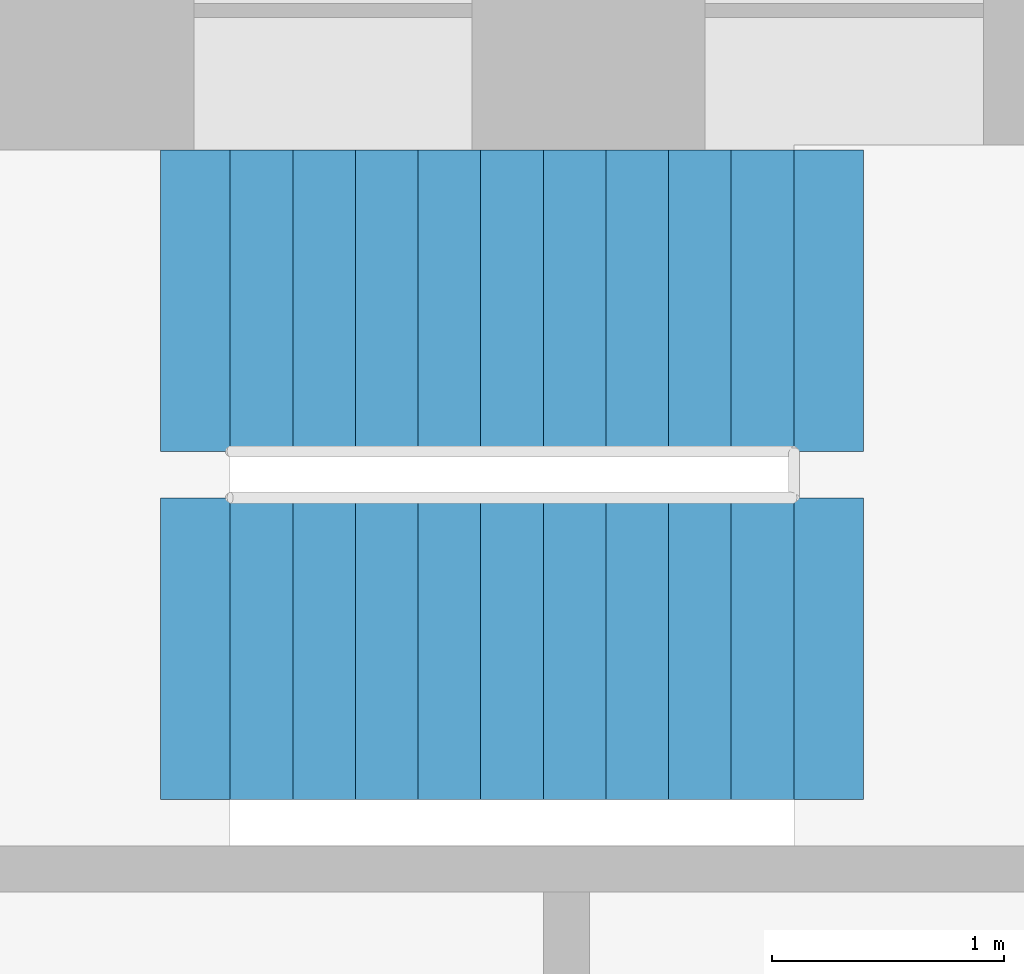
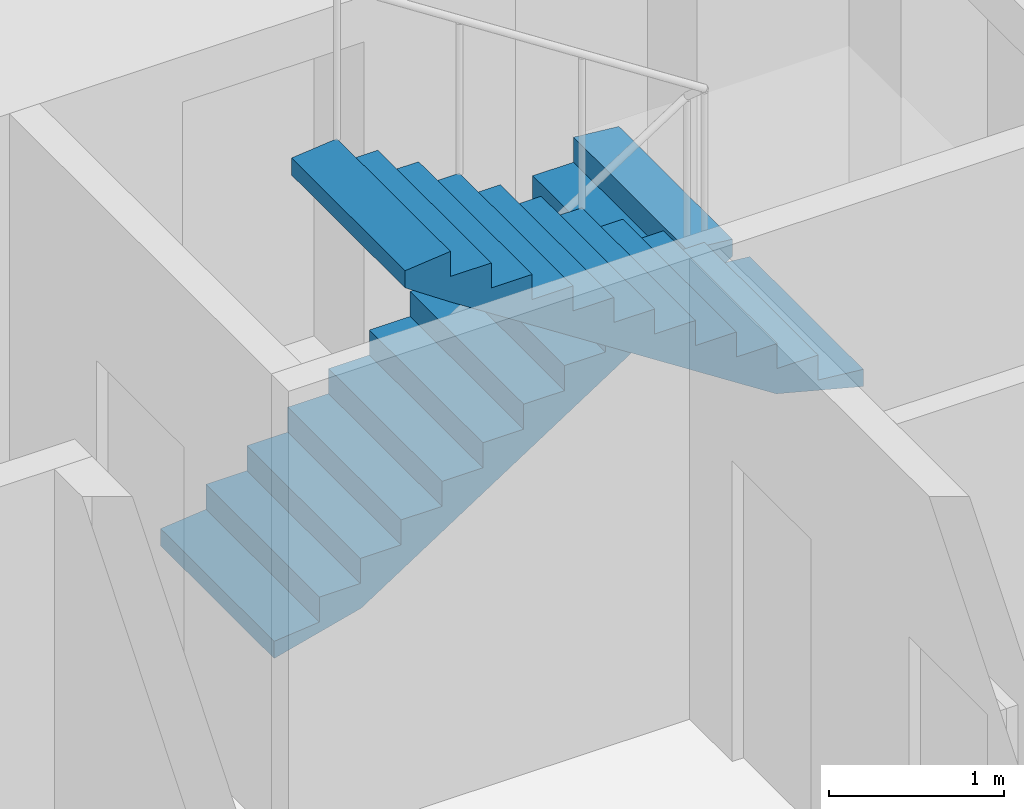
# One storey, part 11 of 21: 2 stair flights, 1 element without a shape of its own.
"""IFC4 building model written with IfcOpenShell, lengths in metres."""

import ifcopenshell
import ifcopenshell.guid

model = None  # the IFC model being written
_history = None  # IfcOwnerHistory: only IFC2X3 demands one
_inside = {}  # id of a spatial element -> (the spatial element, [elements in it])
_under = {}  # id of a project, library or spatial element -> (it, [spatial elements below it])
_declared = {}  # id of a project -> (the project, [libraries it declares])
_typed = {}  # id of a type object -> (the type object, [elements of that type])
_made_of = {}  # id of a material, layer set ... -> (it, [elements and type objects made of it])


def new_model(schema):
    """Start an empty IFC model of exactly this schema.

    Asked for "IFC4X3", IfcOpenShell would pick the latest addendum, in which some entities
    have other attributes; the version numbers below select the first issue.
    IFC2X3 requires an IfcOwnerHistory on every rooted entity: one is made here for all.
    """
    global model, _history
    if schema == "IFC4X3":
        model = ifcopenshell.file(schema_version=(4, 3, 0, 0))
    else:
        model = ifcopenshell.file(schema=schema)
    _inside.clear()
    _under.clear()
    _declared.clear()
    _typed.clear()
    _made_of.clear()
    _history = None
    if model.schema == "IFC2X3":
        org = make("IfcOrganization", Name="unknown")
        user = make(
            "IfcPersonAndOrganization",
            ThePerson=make("IfcPerson", FamilyName="unknown"),
            TheOrganization=org,
        )
        app = make(
            "IfcApplication",
            ApplicationDeveloper=org,
            Version="unknown",
            ApplicationFullName="unknown",
            ApplicationIdentifier="unknown",
        )
        _history = make(
            "IfcOwnerHistory",
            OwningUser=user,
            OwningApplication=app,
            ChangeAction="ADDED",
            CreationDate=0,
        )
    return model


def make(cls, **values):
    """One entity of the class cls with the attributes given. An attribute that is None is left unset."""
    return model.create_entity(
        cls, **{name: value for name, value in values.items() if value is not None}
    )


def rooted(cls, **values):
    """An entity with a GlobalId (a new one), such as an element, a storey or a relation."""
    return make(cls, GlobalId=ifcopenshell.guid.new(), OwnerHistory=_history, **values)


def si_unit(unit_type, name, prefix=None):
    """IfcSIUnit, for example si_unit("LENGTHUNIT", "METRE", prefix="MILLI")."""
    return make("IfcSIUnit", UnitType=unit_type, Prefix=prefix, Name=name)


def assignment(units):
    """IfcUnitAssignment: the units of a project."""
    return None if units is None else make("IfcUnitAssignment", Units=units)


def point(xyz):
    """IfcCartesianPoint."""
    return None if xyz is None else make("IfcCartesianPoint", Coordinates=xyz)


def direction(xyz):
    """IfcDirection."""
    return None if xyz is None else make("IfcDirection", DirectionRatios=xyz)


def frame(location, z_axis=None, x_axis=None):
    """IfcAxis2Placement3D, a coordinate frame: its origin and axes. An axis left out is left unset."""
    return make(
        "IfcAxis2Placement3D",
        Location=point(location),
        Axis=direction(z_axis),
        RefDirection=direction(x_axis),
    )


def origin():
    """The frame at (0, 0, 0) with its axes left unset."""
    return frame((0.0, 0.0, 0.0))


def place(relative_to, where):
    """IfcLocalPlacement: puts the frame where relative to a parent placement (None: the world)."""
    return make(
        "IfcLocalPlacement", PlacementRelTo=relative_to, RelativePlacement=where
    )


def context(
    kind, dimensions, precision=None, world=None, true_north=None, identifier=None
):
    """IfcGeometricRepresentationContext, for example the 3D "Model" context."""
    return make(
        "IfcGeometricRepresentationContext",
        ContextIdentifier=identifier,
        ContextType=kind,
        CoordinateSpaceDimension=dimensions,
        Precision=precision,
        WorldCoordinateSystem=world,
        TrueNorth=true_north,
    )


def subcontext(parent, identifier, kind, view, scale=None):
    """IfcGeometricRepresentationSubContext, for example "Body" below "Model"."""
    return make(
        "IfcGeometricRepresentationSubContext",
        ContextIdentifier=identifier,
        ContextType=kind,
        ParentContext=parent,
        TargetScale=scale,
        TargetView=view,
    )


def project(units=None, contexts=None):
    """IfcProject with its units and contexts."""
    return rooted(
        "IfcProject",
        Name="project",
        RepresentationContexts=contexts,
        UnitsInContext=assignment(units),
    )


def spatial(cls, under=None, at=None, **own):
    """A site, building, storey or space (cls), placed at a placement, below another one or the project."""
    s = rooted(cls, ObjectPlacement=at, **own)
    if under is not None:
        _under.setdefault(under.id(), (under, []))[1].append(s)
    return s


def polyline(points):
    """IfcPolyline through the points."""
    return make("IfcPolyline", Points=[point(p) for p in points])


def outline(outer, holes=None, kind="AREA"):
    """IfcArbitraryClosedProfileDef: a profile drawn as a closed curve; with holes, ...WithVoids."""
    if holes is None:
        return make("IfcArbitraryClosedProfileDef", ProfileType=kind, OuterCurve=outer)
    return make(
        "IfcArbitraryProfileDefWithVoids",
        ProfileType=kind,
        OuterCurve=outer,
        InnerCurves=holes,
    )


def extrude(swept, where, along, depth):
    """IfcExtrudedAreaSolid: the profile swept, set in the frame where, extruded along a direction by depth."""
    return make(
        "IfcExtrudedAreaSolid",
        SweptArea=swept,
        Position=where,
        ExtrudedDirection=direction(along),
        Depth=depth,
    )


def shape(context_of_items, identifier, shape_type, items):
    """IfcShapeRepresentation: the items that make up one representation, for example the "Body"."""
    return make(
        "IfcShapeRepresentation",
        ContextOfItems=context_of_items,
        RepresentationIdentifier=identifier,
        RepresentationType=shape_type,
        Items=items,
    )


def material(Name=None, Category=None):
    """IfcMaterial."""
    return make("IfcMaterial", Name=Name, Category=Category)


def made_of(thing, what):
    """Note that an element or type object is made of a material, layer set ...; save() writes the relation."""
    if what is not None:
        _made_of.setdefault(what.id(), (what, []))[1].append(thing)
    return thing


def type_object(cls, material=None, **own):
    """A type object (cls), such as IfcWallType, which elements share."""
    return made_of(rooted(cls, **own), material)


def element(
    cls,
    number,
    at=None,
    inside=None,
    cuts=None,
    type_object=None,
    material=None,
    context=None,
    identifier="Body",
    shape_type=None,
    held_by="IfcProductDefinitionShape",
    body=None,
    shapes=None,
    **own,
):
    """One element of the class cls, such as IfcWall. Its Tag is "e" and its number.

    at: its placement. inside: the storey or other place that contains it. cuts: it is an
    opening in that element (IfcRelVoidsElement). A single representation is given by context,
    identifier, shape_type and body (its items); several are given by shapes. held_by: the class
    of the entity that holds the representations. save() writes the other relations.
    """
    e = rooted(cls, Tag="e%d" % number, ObjectPlacement=at, **own)
    if body is not None:
        shapes = [shape(context, identifier, shape_type, body)]
    if shapes is not None:
        e.Representation = make(held_by, Representations=shapes)
    if inside is not None:
        _inside.setdefault(inside.id(), (inside, []))[1].append(e)
    if cuts is not None:
        rooted(
            "IfcRelVoidsElement", RelatingBuildingElement=cuts, RelatedOpeningElement=e
        )
    if type_object is not None:
        _typed.setdefault(type_object.id(), (type_object, []))[1].append(e)
    return made_of(e, material)


def aggregate(whole, parts):
    """IfcRelAggregates: a whole, such as a stair, and the parts it consists of."""
    return rooted("IfcRelAggregates", RelatingObject=whole, RelatedObjects=parts)


def save(model, path):
    """Write the relations noted so far, then the file.

    IfcRelAggregates (storeys below a building ...), IfcRelContainedInSpatialStructure (elements
    in a storey), IfcRelDefinesByType, IfcRelAssociatesMaterial and IfcRelDeclares: one each for
    every whole, place, type object, material and project.
    """
    for whole, parts in _under.values():
        aggregate(whole, parts)
    for where, things in _inside.values():
        rooted(
            "IfcRelContainedInSpatialStructure",
            RelatedElements=things,
            RelatingStructure=where,
        )
    for kind, things in _typed.values():
        rooted("IfcRelDefinesByType", RelatedObjects=things, RelatingType=kind)
    for what, things in _made_of.values():
        rooted("IfcRelAssociatesMaterial", RelatedObjects=things, RelatingMaterial=what)
    for by, libraries in _declared.values():
        rooted("IfcRelDeclares", RelatingContext=by, RelatedDefinitions=libraries)
    model.write(path)


model = new_model("IFC4")

# Units and contexts
model_context = context("Model", 3, precision=1e-05, world=origin(), true_north=direction((0.0, 1.0)))
body_context = subcontext(model_context, "Body", "Model", "MODEL_VIEW")
ifc_project = project(units=[si_unit("LENGTHUNIT", "METRE"), si_unit("AREAUNIT", "SQUARE_METRE"), si_unit("VOLUMEUNIT", "CUBIC_METRE"), si_unit("PLANEANGLEUNIT", "RADIAN"), si_unit("MASSUNIT", "GRAM", prefix="KILO")], contexts=[model_context])

# Site, building, storey
site_placement = place(None, origin())
site = spatial("IfcSite", under=ifc_project, at=site_placement, CompositionType="ELEMENT")
building_placement = place(site_placement, origin())
building = spatial("IfcBuilding", under=site, at=building_placement, Name="Vermilion Gate Residences", CompositionType="ELEMENT")
storey_placement = place(building_placement, frame((0.0, 0.0, 67.199951171875)))
storey = spatial("IfcBuildingStorey", under=building, at=storey_placement, Name="L16", CompositionType="ELEMENT", Elevation=67.199951171875)

# Stair, stair flights
ifc_material_1 = material(Name="Concrete C50", Category="concrete")
stair_type = type_object("IfcStairType", Name="SPECIAL ESCAPE STAIR 1300", PredefinedType="HALF_TURN_STAIR", material=ifc_material_1)
stair_placement = place(storey_placement, origin())
stair = element("IfcStair", 1, at=stair_placement, inside=storey, type_object=stair_type, Name="Special escape stair STB1-16", PredefinedType="HALF_TURN_STAIR")
ifc_material_2 = material(Name="Concrete C50", Category="concrete")
stair_flight_type = type_object("IfcStairFlightType", Name="STAIR FLIGHT 1300 RC C50", PredefinedType="STRAIGHT", material=ifc_material_2)
stair_flight_1_placement = place(storey_placement, frame((19.75, 56.949951171875, 0.0), z_axis=(0.0, 0.0, 1.0), x_axis=(1.0, 0.0, 0.0)))
stair_flight_1 = element("IfcStairFlight", 2, at=stair_flight_1_placement, type_object=stair_flight_type, Name="STB1-16 flight 1", NumberOfRisers=10, NumberOfTreads=9, PredefinedType="STRAIGHT", RiserHeight=0.175, TreadLength=0.27, context=body_context, shape_type="SweptSolid", body=[
    extrude(outline(polyline([(-0.300048828125, -0.14990234375), (-0.300048828125, -0.030029296875), (0.0, 0.0), (0.0, 0.175048828125), (0.27001953125, 0.175048828125), (0.27001953125, 0.35009765625), (0.5400390625, 0.35009765625), (0.5400390625, 0.52490234375), (0.81005859375, 0.52490234375), (0.81005859375, 0.699951171875), (1.080078125, 0.699951171875), (1.080078125, 0.875), (1.35009765625, 0.875), (1.35009765625, 1.050048828125), (1.6201171875, 1.050048828125), (1.6201171875, 1.22509765625), (1.889892578125, 1.22509765625), (1.889892578125, 1.39990234375), (2.159912109375, 1.39990234375), (2.159912109375, 1.574951171875), (2.429931640625, 1.574951171875), (2.429931640625, 1.75), (2.72998046875, 1.719970703125), (2.72998046875, 1.60009765625), (2.429931640625, 1.396484375), (0.275634765625, 0.0), (-0.300048828125, -0.14990234375)])), frame((0.0, 0.64990234375, 0.0), z_axis=(0.0, -1.0, 0.0), x_axis=(1.0, 0.0, 0.0)), (0.0, 0.0, 1.0), 1.300048828125),
])
stair_flight_2_placement = place(storey_placement, frame((22.179931640625, 55.449951171875, 1.75), z_axis=(0.0, 0.0, 1.0), x_axis=(-1.0, 0.0, 0.0)))
stair_flight_2 = element("IfcStairFlight", 3, at=stair_flight_2_placement, type_object=stair_flight_type, Name="STB1-16 flight 2", NumberOfRisers=10, NumberOfTreads=9, PredefinedType="STRAIGHT", RiserHeight=0.175, TreadLength=0.27, context=body_context, shape_type="SweptSolid", body=[
    extrude(outline(polyline([(-0.300048828125, -0.14990234375), (-0.300048828125, -0.030029296875), (0.0, 0.0), (0.0, 0.175048828125), (0.27001953125, 0.175048828125), (0.27001953125, 0.35009765625), (0.5400390625, 0.35009765625), (0.5400390625, 0.52490234375), (0.81005859375, 0.52490234375), (0.81005859375, 0.699951171875), (1.080078125, 0.699951171875), (1.080078125, 0.875), (1.35009765625, 0.875), (1.35009765625, 1.050048828125), (1.6201171875, 1.050048828125), (1.6201171875, 1.22509765625), (1.889892578125, 1.22509765625), (1.889892578125, 1.39990234375), (2.159912109375, 1.39990234375), (2.159912109375, 1.574951171875), (2.429931640625, 1.574951171875), (2.429931640625, 1.75), (2.72998046875, 1.719970703125), (2.72998046875, 1.60009765625), (2.429931640625, 1.396484375), (0.275634765625, 0.0), (-0.300048828125, -0.14990234375)])), frame((0.0, 0.64990234375, 0.0), z_axis=(0.0, -1.0, 0.0), x_axis=(1.0, 0.0, 0.0)), (0.0, 0.0, 1.0), 1.300048828125),
])
aggregate(stair, [stair_flight_1, stair_flight_2])

save(model, "model.ifc")
